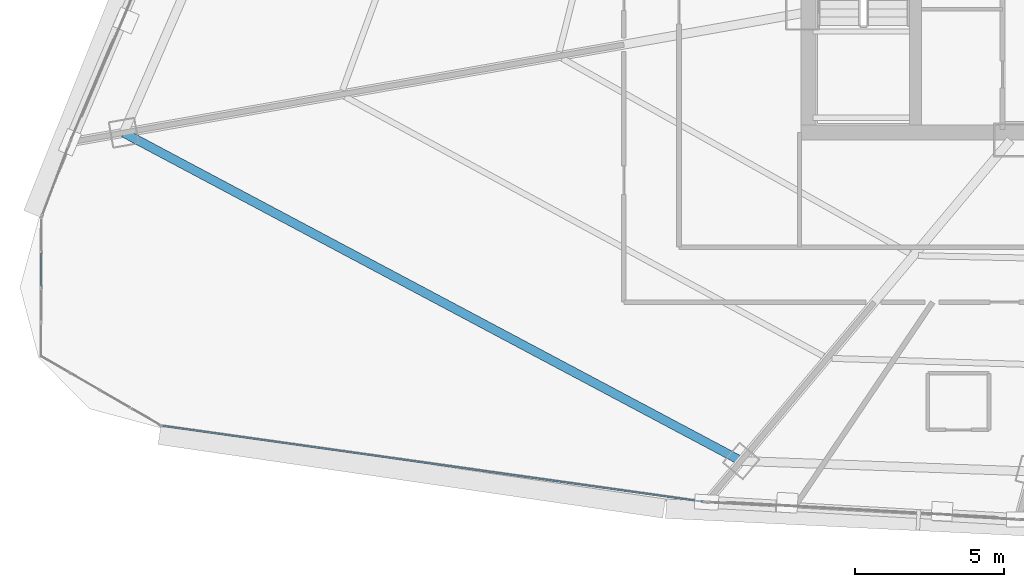
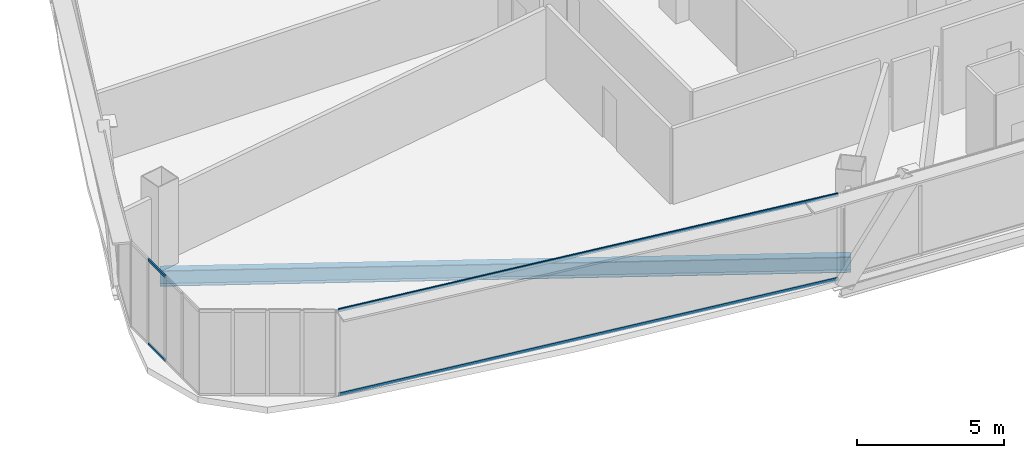
# One storey, part 3 of 37: 4 members, 1 beam, 2 elements without a shape of their own.
"""IFC4 building model written with IfcOpenShell, lengths in metres."""

from ifc_helpers import new_model, si_unit, direction, frame, origin, origin_2d, place, context, subcontext, project, spatial, hollow_rectangle, i_section, extrude, source, transform, mapped, material, layer, layer_set, material_profile, profile_set, type_object, element, aggregate, save


model = new_model("IFC4")

# Units and contexts
model_context = context("Model", 3, precision=1e-05, world=origin(), true_north=direction((0.0, 1.0)))
body_context = subcontext(model_context, "Body", "Model", "MODEL_VIEW")
ifc_project = project(units=[si_unit("LENGTHUNIT", "METRE"), si_unit("AREAUNIT", "SQUARE_METRE"), si_unit("VOLUMEUNIT", "CUBIC_METRE"), si_unit("PLANEANGLEUNIT", "RADIAN"), si_unit("MASSUNIT", "GRAM", prefix="KILO"), si_unit("THERMODYNAMICTEMPERATUREUNIT", "KELVIN"), si_unit("POWERUNIT", "WATT")], contexts=[model_context])

# Site, building, storey
site_placement = place(None, origin())
site = spatial("IfcSite", under=ifc_project, at=site_placement, CompositionType="ELEMENT")
building_placement = place(site_placement, origin())
building = spatial("IfcBuilding", under=site, at=building_placement, Name="Yunzhuo Pagoda Commons", CompositionType="ELEMENT")
storey_placement = place(building_placement, frame((0.0, 0.0, 207.56005859375)))
storey = spatial("IfcBuildingStorey", under=building, at=storey_placement, Name="L52", CompositionType="ELEMENT", Elevation=207.56005859375)

# Beam
ifc_material_1 = material(Name="Structural steel Q355B", Category="steel")
ifc_material_profile_1 = material_profile(ifc_material_1, i_section(OverallWidth=0.300048828125, OverallDepth=0.64990234375, WebThickness=0.012939453125, FlangeThickness=0.02197265625, at=origin_2d()), Name="Structural steel Q355B")
ifc_profile_set_1 = profile_set([ifc_material_profile_1], Name="Structural steel Q355B")
beam_type = type_object("IfcBeamType", Name="B-RG2 Beam HN 650x300x13x22", PredefinedType="BEAM", material=ifc_profile_set_1)
shared_shape_1 = source(origin(), body_context, "Body", "SweptSolid", [
    extrude(i_section(OverallWidth=0.300048828125, OverallDepth=0.64990234375, WebThickness=0.012939453125, FlangeThickness=0.02197265625, at=origin_2d()), origin(), (0.0, 0.0, 1.0), 23.49365234375),
])
beam_placement = place(storey_placement, frame((12.79345703125, 27.492431640625, -0.5849609375), z_axis=(0.883016269865, -0.469342377325, 0.0), x_axis=(0.469342377325, 0.883016269865, 0.0)))
element("IfcBeam", 1, at=beam_placement, inside=storey, type_object=beam_type, Name="L52 column-ring beam 12", PredefinedType="BEAM", context=body_context, shape_type="MappedRepresentation", body=[
    mapped(shared_shape_1, transform((0.0, 0.0, 0.0), scale=1.0)),
])

# Curtain wall, members
ifc_material_2 = material(Name="Anodized aluminium 6063-T6", Category="aluminium")
ifc_layer_1 = layer(ifc_material_2, 0.14990234375)
ifc_layer_set_1 = layer_set([ifc_layer_1], Name="Anodized aluminium 6063-T6")
curtain_wall_type_1 = type_object("IfcCurtainWallType", Name="CW-MID Mid-Zone Ribbon Curtain Wall", PredefinedType="NOTDEFINED", material=ifc_layer_set_1)
curtain_wall_1_placement = place(storey_placement, origin())
curtain_wall_1 = element("IfcCurtainWall", 2, at=curtain_wall_1_placement, inside=storey, type_object=curtain_wall_type_1, Name="L52 curtain wall CW-L52-F1B1", PredefinedType="NOTDEFINED")
ifc_material_profile_2 = material_profile(ifc_material_2, hollow_rectangle(XDim=0.054931640625, YDim=0.1298828125, WallThickness=0.00341796875, at=origin_2d()), Name="Anodized aluminium 6063-T6")
ifc_profile_set_2 = profile_set([ifc_material_profile_2], Name="Anodized aluminium 6063-T6")
member_type_1 = type_object("IfcMemberType", Name="CW-MID-T Transom RHS 130x55x3.5", PredefinedType="USERDEFINED", material=ifc_profile_set_2)
shared_shape_2 = source(origin(), body_context, "Body", "SweptSolid", [
    extrude(hollow_rectangle(XDim=0.054931640625, YDim=0.1298828125, WallThickness=0.00341796875, at=origin_2d()), origin(), (0.0, 0.0, 1.0), 18.3125),
])
member_1_placement = place(storey_placement, frame((14.109130859375, 17.6435546875, 0.02734375), z_axis=(0.990316981447, -0.138824624106, 0.0), x_axis=(0.138824624106, 0.990316981447, 0.0)))
member_1 = element("IfcMember", 3, at=member_1_placement, type_object=member_type_1, Name="CW transom 1.1", ObjectType="TRANSOM", PredefinedType="USERDEFINED", context=body_context, shape_type="MappedRepresentation", body=[
    mapped(shared_shape_2, transform((0.0, 0.0, 0.0), scale=1.0)),
])
member_2_placement = place(storey_placement, frame((14.109130859375, 17.6435546875, 3.512451171875), z_axis=(0.990316981447, -0.138824624106, 0.0), x_axis=(0.138824624106, 0.990316981447, 0.0)))
member_2 = element("IfcMember", 4, at=member_2_placement, type_object=member_type_1, Name="CW transom 1.2", ObjectType="TRANSOM", PredefinedType="USERDEFINED", context=body_context, shape_type="MappedRepresentation", body=[
    mapped(shared_shape_2, transform((0.0, 0.0, 0.0), scale=1.0)),
])
aggregate(curtain_wall_1, [member_1, member_2])

ifc_layer_2 = layer(ifc_material_2, 0.1298828125)
ifc_layer_set_2 = layer_set([ifc_layer_2], Name="Anodized aluminium 6063-T6")
curtain_wall_type_2 = type_object("IfcCurtainWallType", Name="CW-VTX Rounded Corner Curtain Wall", PredefinedType="NOTDEFINED", material=ifc_layer_set_2)
curtain_wall_2_placement = place(storey_placement, origin())
curtain_wall_2 = element("IfcCurtainWall", 5, at=curtain_wall_2_placement, inside=storey, type_object=curtain_wall_type_2, Name="L52 curtain wall CW-L52-VTX1S1", PredefinedType="NOTDEFINED")
ifc_material_profile_3 = material_profile(ifc_material_2, hollow_rectangle(XDim=0.054931640625, YDim=0.1201171875, WallThickness=0.00341796875, at=origin_2d()), Name="Anodized aluminium 6063-T6")
ifc_profile_set_3 = profile_set([ifc_material_profile_3], Name="Anodized aluminium 6063-T6")
member_type_2 = type_object("IfcMemberType", Name="CW-VTX-T Transom RHS 120x55x3.5", PredefinedType="USERDEFINED", material=ifc_profile_set_3)
shared_shape_3 = source(origin(), body_context, "Body", "SweptSolid", [
    extrude(hollow_rectangle(XDim=0.054931640625, YDim=0.1201171875, WallThickness=0.00341796875, at=origin_2d()), origin(), (0.0, 0.0, 1.0), 1.12255859375),
])
member_3_placement = place(storey_placement, frame((10.025390625, 23.44775390625, 0.02734375), z_axis=(-0.003479752747, -0.999993945642, 0.0), x_axis=(0.999993945642, -0.003479752747, 0.0)))
member_3 = element("IfcMember", 6, at=member_3_placement, type_object=member_type_2, Name="CW transom 2.1", ObjectType="TRANSOM", PredefinedType="USERDEFINED", context=body_context, shape_type="MappedRepresentation", body=[
    mapped(shared_shape_3, transform((0.0, 0.0, 0.0), scale=1.0)),
])
member_4_placement = place(storey_placement, frame((10.025390625, 23.44775390625, 3.512451171875), z_axis=(-0.003479752747, -0.999993945642, 0.0), x_axis=(0.999993945642, -0.003479752747, 0.0)))
member_4 = element("IfcMember", 7, at=member_4_placement, type_object=member_type_2, Name="CW transom 2.2", ObjectType="TRANSOM", PredefinedType="USERDEFINED", context=body_context, shape_type="MappedRepresentation", body=[
    mapped(shared_shape_3, transform((0.0, 0.0, 0.0), scale=1.0)),
])
aggregate(curtain_wall_2, [member_3, member_4])

save(model, "model.ifc")
